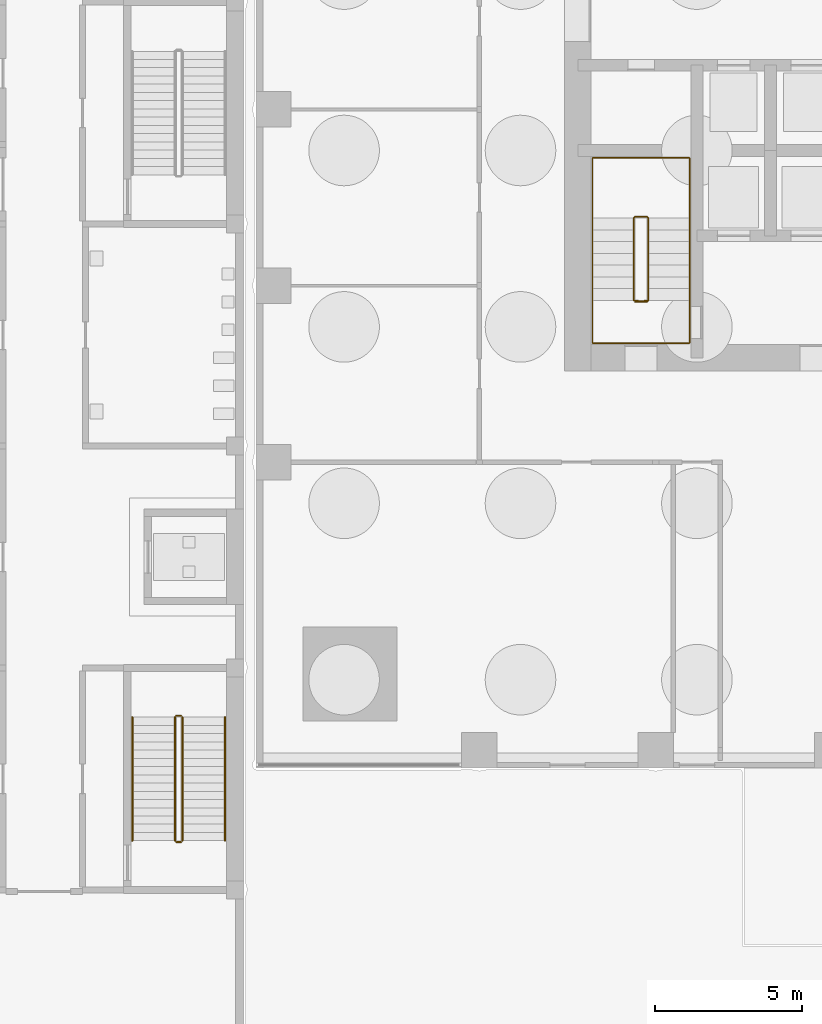
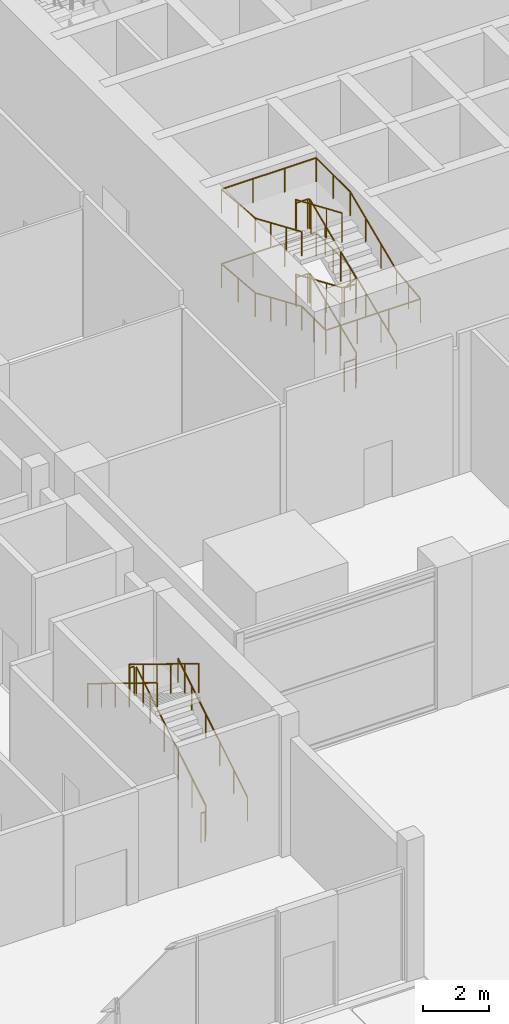
# One storey, part 24 of 33: 8 railings.
"""IFC4 building model written with IfcOpenShell, lengths in metres."""

from ifc_helpers import new_model, si_unit, direction, frame, origin, origin_2d, place, context, subcontext, project, spatial, circle, extrude, material, type_object, element, save


model = new_model("IFC4")

# Units and contexts
model_context = context("Model", 3, precision=1e-05, world=origin(), true_north=direction((0.0, 1.0)))
body_context = subcontext(model_context, "Body", "Model", "MODEL_VIEW")
ifc_project = project(units=[si_unit("LENGTHUNIT", "METRE"), si_unit("AREAUNIT", "SQUARE_METRE"), si_unit("VOLUMEUNIT", "CUBIC_METRE"), si_unit("PLANEANGLEUNIT", "RADIAN"), si_unit("MASSUNIT", "GRAM", prefix="KILO")], contexts=[model_context])

# Site, building, storey
site_placement = place(None, origin())
site = spatial("IfcSite", under=ifc_project, at=site_placement, CompositionType="ELEMENT")
building_placement = place(site_placement, origin())
building = spatial("IfcBuilding", under=site, at=building_placement, Name="Amberfall Residences", CompositionType="ELEMENT")
storey_placement = place(building_placement, origin())
storey = spatial("IfcBuildingStorey", under=building, at=storey_placement, Name="L00", CompositionType="ELEMENT", Elevation=0.0)

# Railings
ifc_material_1 = material(Name="Stainless steel", Category="steel")
railing_type_1 = type_object("IfcRailingType", Name="School stair guard 1100", PredefinedType="GUARDRAIL", material=ifc_material_1)
railing_1_placement = place(storey_placement, frame((49.5, 17.52490234375, 0.171875)))
element("IfcRailing", 1, at=railing_1_placement, inside=storey, type_object=railing_type_1, Name="L00 SS1 stair guard 1", PredefinedType="GUARDRAIL", context=body_context, shape_type="SweptSolid", body=[
    extrude(circle(Radius=0.02392578125, at=origin_2d()), frame((0.0, 0.0, 1.076171875), z_axis=(0.0, 0.852256472501, 0.523124177495), x_axis=(-1.0, 0.0, 0.0)), (0.0, 0.0, 1.0), 4.92822265625),
    extrude(circle(Radius=0.02099609375, at=origin_2d()), origin(), (0.0, 0.0, 1.0), 1.052001953125),
    extrude(circle(Radius=0.02099609375, at=origin_2d()), frame((0.0, 0.840087890625, 0.515625)), (0.0, 0.0, 1.0), 1.052001953125),
    extrude(circle(Radius=0.02099609375, at=origin_2d()), frame((0.0, 1.68017578125, 1.03125)), (0.0, 0.0, 1.0), 1.052001953125),
    extrude(circle(Radius=0.02099609375, at=origin_2d()), frame((0.0, 2.52001953125, 1.546875)), (0.0, 0.0, 1.0), 1.052001953125),
    extrude(circle(Radius=0.02099609375, at=origin_2d()), frame((0.0, 3.360107421875, 2.0625)), (0.0, 0.0, 1.0), 1.052001953125),
    extrude(circle(Radius=0.02099609375, at=origin_2d()), frame((0.0, 4.2001953125, 2.578125)), (0.0, 0.0, 1.0), 1.052001953125),
])
railing_2_placement = place(storey_placement, frame((49.449951171875, 21.77490234375, 2.75)))
element("IfcRailing", 2, at=railing_2_placement, inside=storey, type_object=railing_type_1, Name="L00 SS1 stair guard 2", PredefinedType="GUARDRAIL", context=body_context, shape_type="SweptSolid", body=[
    extrude(circle(Radius=0.02392578125, at=origin_2d()), frame((0.0, 0.0, 1.076171875), z_axis=(-1.0, 0.0, 0.0), x_axis=(0.0, -1.0, 0.0)), (0.0, 0.0, 1.0), 0.14990234375),
    extrude(circle(Radius=0.02099609375, at=origin_2d()), origin(), (0.0, 0.0, 1.0), 1.052001953125),
    extrude(circle(Radius=0.02099609375, at=origin_2d()), frame((-0.14990234375, 0.0, 0.0)), (0.0, 0.0, 1.0), 1.052001953125),
])
railing_3_placement = place(storey_placement, frame((49.25, 21.72509765625, 2.921875)))
element("IfcRailing", 3, at=railing_3_placement, inside=storey, type_object=railing_type_1, Name="L00 SS1 stair guard 3", PredefinedType="GUARDRAIL", context=body_context, shape_type="SweptSolid", body=[
    extrude(circle(Radius=0.02392578125, at=origin_2d()), frame((0.0, 0.0, 1.076171875), z_axis=(0.0, -0.852256472501, 0.523124177495), x_axis=(1.0, 0.0, 0.0)), (0.0, 0.0, 1.0), 4.92822265625),
    extrude(circle(Radius=0.02099609375, at=origin_2d()), origin(), (0.0, 0.0, 1.0), 1.052001953125),
    extrude(circle(Radius=0.02099609375, at=origin_2d()), frame((0.0, -0.840087890625, 0.515625)), (0.0, 0.0, 1.0), 1.052001953125),
    extrude(circle(Radius=0.02099609375, at=origin_2d()), frame((0.0, -1.68017578125, 1.03125)), (0.0, 0.0, 1.0), 1.052001953125),
    extrude(circle(Radius=0.02099609375, at=origin_2d()), frame((0.0, -2.52001953125, 1.546875)), (0.0, 0.0, 1.0), 1.052001953125),
    extrude(circle(Radius=0.02099609375, at=origin_2d()), frame((0.0, -3.360107421875, 2.0625)), (0.0, 0.0, 1.0), 1.052001953125),
    extrude(circle(Radius=0.02099609375, at=origin_2d()), frame((0.0, -4.2001953125, 2.578125)), (0.0, 0.0, 1.0), 1.052001953125),
])
railing_4_placement = place(storey_placement, frame((49.449951171875, 17.47509765625, 0.0)))
element("IfcRailing", 4, at=railing_4_placement, inside=storey, type_object=railing_type_1, Name="L00 SS1 stair guard 4", PredefinedType="GUARDRAIL", context=body_context, shape_type="SweptSolid", body=[
    extrude(circle(Radius=0.02392578125, at=origin_2d()), frame((0.0, 0.0, 1.076171875), z_axis=(-1.0, 0.0, 0.0), x_axis=(0.0, -1.0, 0.0)), (0.0, 0.0, 1.0), 0.14990234375),
    extrude(circle(Radius=0.02099609375, at=origin_2d()), origin(), (0.0, 0.0, 1.0), 1.052001953125),
    extrude(circle(Radius=0.02099609375, at=origin_2d()), frame((-0.14990234375, 0.0, 0.0)), (0.0, 0.0, 1.0), 1.052001953125),
])
railing_type_2 = type_object("IfcRailingType", Name="School stair handrail", PredefinedType="HANDRAIL", material=ifc_material_1)
railing_5_placement = place(storey_placement, frame((50.949951171875, 17.52490234375, 0.171875)))
element("IfcRailing", 5, at=railing_5_placement, inside=storey, type_object=railing_type_2, Name="L00 SS1 stair handrail 1", PredefinedType="HANDRAIL", context=body_context, shape_type="SweptSolid", body=[
    extrude(circle(Radius=0.02392578125, at=origin_2d()), frame((0.0, 0.0, 0.8759765625), z_axis=(0.0, 0.852256472501, 0.523124177495), x_axis=(-1.0, 0.0, 0.0)), (0.0, 0.0, 1.0), 4.92822265625),
    extrude(circle(Radius=0.02099609375, at=origin_2d()), origin(), (0.0, 0.0, 1.0), 0.851806640625),
    extrude(circle(Radius=0.02099609375, at=origin_2d()), frame((0.0, 0.840087890625, 0.515625)), (0.0, 0.0, 1.0), 0.851806640625),
    extrude(circle(Radius=0.02099609375, at=origin_2d()), frame((0.0, 1.68017578125, 1.03125)), (0.0, 0.0, 1.0), 0.851806640625),
    extrude(circle(Radius=0.02099609375, at=origin_2d()), frame((0.0, 2.52001953125, 1.546875)), (0.0, 0.0, 1.0), 0.851806640625),
    extrude(circle(Radius=0.02099609375, at=origin_2d()), frame((0.0, 3.360107421875, 2.0625)), (0.0, 0.0, 1.0), 0.851806640625),
    extrude(circle(Radius=0.02099609375, at=origin_2d()), frame((0.0, 4.2001953125, 2.578125)), (0.0, 0.0, 1.0), 0.851806640625),
])
railing_6_placement = place(storey_placement, frame((47.800048828125, 21.72509765625, 2.921875)))
element("IfcRailing", 6, at=railing_6_placement, inside=storey, type_object=railing_type_2, Name="L00 SS1 stair handrail 2", PredefinedType="HANDRAIL", context=body_context, shape_type="SweptSolid", body=[
    extrude(circle(Radius=0.02392578125, at=origin_2d()), frame((0.0, 0.0, 0.8759765625), z_axis=(0.0, -0.852256472501, 0.523124177495), x_axis=(1.0, 0.0, 0.0)), (0.0, 0.0, 1.0), 4.92822265625),
    extrude(circle(Radius=0.02099609375, at=origin_2d()), origin(), (0.0, 0.0, 1.0), 0.851806640625),
    extrude(circle(Radius=0.02099609375, at=origin_2d()), frame((0.0, -0.840087890625, 0.515625)), (0.0, 0.0, 1.0), 0.851806640625),
    extrude(circle(Radius=0.02099609375, at=origin_2d()), frame((0.0, -1.68017578125, 1.03125)), (0.0, 0.0, 1.0), 0.851806640625),
    extrude(circle(Radius=0.02099609375, at=origin_2d()), frame((0.0, -2.52001953125, 1.546875)), (0.0, 0.0, 1.0), 0.851806640625),
    extrude(circle(Radius=0.02099609375, at=origin_2d()), frame((0.0, -3.360107421875, 2.0625)), (0.0, 0.0, 1.0), 0.851806640625),
    extrude(circle(Radius=0.02099609375, at=origin_2d()), frame((0.0, -4.2001953125, 2.578125)), (0.0, 0.0, 1.0), 0.851806640625),
])
ifc_material_2 = material(Name="Stainless steel 316", Category="steel")
railing_type_3 = type_object("IfcRailingType", Name="Stair guard 1100", PredefinedType="GUARDRAIL", material=ifc_material_2)
railing_7_placement = place(storey_placement, frame((64.89990234375, 35.85009765625, 0.0)))
element("IfcRailing", 7, at=railing_7_placement, inside=storey, type_object=railing_type_3, Name="L00 stair 1 guard", PredefinedType="GUARDRAIL", context=body_context, shape_type="SweptSolid", body=[
    extrude(circle(Radius=0.02392578125, at=origin_2d()), frame((0.0, 0.0, 1.076171875), z_axis=(1.0, 0.0, 0.0), x_axis=(0.0, 1.0, 0.0)), (0.0, 0.0, 1.0), 0.400146484375),
    extrude(circle(Radius=0.02392578125, at=origin_2d()), frame((0.400146484375, 0.0, 1.076171875), z_axis=(0.26935076646, 0.268036860282, 0.924989949209), x_axis=(-0.705375805398, 0.708833529934, 0.0)), (0.0, 0.0, 1.0), 0.185791015625),
    extrude(circle(Radius=0.02392578125, at=origin_2d()), frame((0.4501953125, 0.0498046875, 1.248046875), z_axis=(0.0, 0.918775847296, 0.394779612475), x_axis=(-1.0, 0.0, 0.0)), (0.0, 0.0, 1.0), 3.047607421875),
    extrude(circle(Radius=0.02392578125, at=origin_2d()), frame((0.4501953125, 2.849853515625, 2.451171875), z_axis=(-0.707106781187, 0.707106781187, 0.0), x_axis=(-0.707106781187, -0.707106781187, 0.0)), (0.0, 0.0, 1.0), 0.07080078125),
    extrude(circle(Radius=0.02392578125, at=origin_2d()), frame((0.400146484375, 2.89990234375, 2.451171875), z_axis=(-1.0, 0.0, 0.0), x_axis=(0.0, -1.0, 0.0)), (0.0, 0.0, 1.0), 0.400146484375),
    extrude(circle(Radius=0.02392578125, at=origin_2d()), frame((0.0, 2.89990234375, 2.451171875), z_axis=(-0.268036860282, -0.26935076646, 0.924989949209), x_axis=(0.708833529934, -0.705375805398, 0.0)), (0.0, 0.0, 1.0), 0.185791015625),
    extrude(circle(Radius=0.02392578125, at=origin_2d()), frame((-0.0498046875, 2.849853515625, 2.623046875), z_axis=(0.0, -0.918775847296, 0.394779612475), x_axis=(1.0, 0.0, 0.0)), (0.0, 0.0, 1.0), 3.047607421875),
    extrude(circle(Radius=0.02392578125, at=origin_2d()), frame((-0.0498046875, 0.0498046875, 3.826171875), z_axis=(0.993929686101, -0.110017176324, 0.0), x_axis=(0.110017176324, 0.993929686101, 0.0)), (0.0, 0.0, 1.0), 0.45263671875),
    extrude(circle(Radius=0.02392578125, at=origin_2d()), frame((0.400146484375, 0.0, 3.826171875), z_axis=(-1.0, 0.0, 0.0), x_axis=(0.0, -1.0, 0.0)), (0.0, 0.0, 1.0), 0.400146484375),
    extrude(circle(Radius=0.02392578125, at=origin_2d()), frame((0.0, 0.0, 3.826171875), z_axis=(0.929280626742, 0.102805448945, 0.354779588518), x_axis=(-0.109958235639, 0.993936208423, 0.0)), (0.0, 0.0, 1.0), 0.484375),
    extrude(circle(Radius=0.02392578125, at=origin_2d()), frame((0.4501953125, 0.0498046875, 3.998046875), z_axis=(0.0, 0.918775847296, 0.394779612475), x_axis=(-1.0, 0.0, 0.0)), (0.0, 0.0, 1.0), 3.047607421875),
    extrude(circle(Radius=0.02392578125, at=origin_2d()), frame((0.4501953125, 2.849853515625, 5.201171875), z_axis=(-0.707106781187, 0.707106781187, 0.0), x_axis=(-0.707106781187, -0.707106781187, 0.0)), (0.0, 0.0, 1.0), 0.07080078125),
    extrude(circle(Radius=0.02392578125, at=origin_2d()), frame((0.400146484375, 2.89990234375, 5.201171875), z_axis=(-1.0, 0.0, 0.0), x_axis=(0.0, -1.0, 0.0)), (0.0, 0.0, 1.0), 0.400146484375),
    extrude(circle(Radius=0.02392578125, at=origin_2d()), frame((0.0, 2.89990234375, 5.201171875), z_axis=(-0.268036860282, -0.26935076646, 0.924989949209), x_axis=(0.708833529934, -0.705375805398, 0.0)), (0.0, 0.0, 1.0), 0.185791015625),
    extrude(circle(Radius=0.02392578125, at=origin_2d()), frame((-0.0498046875, 2.849853515625, 5.373046875), z_axis=(0.0, -0.918775847296, 0.394779612475), x_axis=(1.0, 0.0, 0.0)), (0.0, 0.0, 1.0), 3.047607421875),
    extrude(circle(Radius=0.02099609375, at=origin_2d()), origin(), (0.0, 0.0, 1.0), 1.052001953125),
    extrude(circle(Radius=0.02099609375, at=origin_2d()), frame((0.400146484375, 0.0, 0.0)), (0.0, 0.0, 1.0), 1.052001953125),
    extrude(circle(Radius=0.02099609375, at=origin_2d()), frame((0.4501953125, 0.0498046875, 0.171875)), (0.0, 0.0, 1.0), 1.052001953125),
    extrude(circle(Radius=0.02099609375, at=origin_2d()), frame((0.4501953125, 0.983154296875, 0.572998046875)), (0.0, 0.0, 1.0), 1.052001953125),
    extrude(circle(Radius=0.02099609375, at=origin_2d()), frame((0.4501953125, 1.91650390625, 0.973876953125)), (0.0, 0.0, 1.0), 1.052001953125),
    extrude(circle(Radius=0.02099609375, at=origin_2d()), frame((0.4501953125, 2.849853515625, 1.375)), (0.0, 0.0, 1.0), 1.052001953125),
    extrude(circle(Radius=0.02099609375, at=origin_2d()), frame((0.400146484375, 2.89990234375, 1.375)), (0.0, 0.0, 1.0), 1.052001953125),
    extrude(circle(Radius=0.02099609375, at=origin_2d()), frame((0.0, 2.89990234375, 1.375)), (0.0, 0.0, 1.0), 1.052001953125),
    extrude(circle(Radius=0.02099609375, at=origin_2d()), frame((-0.0498046875, 2.849853515625, 1.546875)), (0.0, 0.0, 1.0), 1.052001953125),
    extrude(circle(Radius=0.02099609375, at=origin_2d()), frame((-0.0498046875, 1.91650390625, 1.947998046875)), (0.0, 0.0, 1.0), 1.052001953125),
    extrude(circle(Radius=0.02099609375, at=origin_2d()), frame((-0.0498046875, 0.983154296875, 2.348876953125)), (0.0, 0.0, 1.0), 1.052001953125),
    extrude(circle(Radius=0.02099609375, at=origin_2d()), frame((-0.0498046875, 0.0498046875, 2.75)), (0.0, 0.0, 1.0), 1.052001953125),
    extrude(circle(Radius=0.02099609375, at=origin_2d()), frame((0.400146484375, 0.0, 2.75)), (0.0, 0.0, 1.0), 1.052001953125),
    extrude(circle(Radius=0.02099609375, at=origin_2d()), frame((0.0, 0.0, 2.75)), (0.0, 0.0, 1.0), 1.052001953125),
    extrude(circle(Radius=0.02099609375, at=origin_2d()), frame((0.4501953125, 0.0498046875, 2.921875)), (0.0, 0.0, 1.0), 1.052001953125),
    extrude(circle(Radius=0.02099609375, at=origin_2d()), frame((0.4501953125, 0.983154296875, 3.322998046875)), (0.0, 0.0, 1.0), 1.052001953125),
    extrude(circle(Radius=0.02099609375, at=origin_2d()), frame((0.4501953125, 1.91650390625, 3.723876953125)), (0.0, 0.0, 1.0), 1.052001953125),
    extrude(circle(Radius=0.02099609375, at=origin_2d()), frame((0.4501953125, 2.849853515625, 4.125)), (0.0, 0.0, 1.0), 1.052001953125),
    extrude(circle(Radius=0.02099609375, at=origin_2d()), frame((0.400146484375, 2.89990234375, 4.125)), (0.0, 0.0, 1.0), 1.052001953125),
    extrude(circle(Radius=0.02099609375, at=origin_2d()), frame((0.0, 2.89990234375, 4.125)), (0.0, 0.0, 1.0), 1.052001953125),
    extrude(circle(Radius=0.02099609375, at=origin_2d()), frame((-0.0498046875, 2.849853515625, 4.296875)), (0.0, 0.0, 1.0), 1.052001953125),
    extrude(circle(Radius=0.02099609375, at=origin_2d()), frame((-0.0498046875, 1.91650390625, 4.697998046875)), (0.0, 0.0, 1.0), 1.052001953125),
    extrude(circle(Radius=0.02099609375, at=origin_2d()), frame((-0.0498046875, 0.983154296875, 5.098876953125)), (0.0, 0.0, 1.0), 1.052001953125),
    extrude(circle(Radius=0.02099609375, at=origin_2d()), frame((-0.0498046875, 0.0498046875, 5.5)), (0.0, 0.0, 1.0), 1.052001953125),
])
railing_type_4 = type_object("IfcRailingType", Name="Stair handrail 900", PredefinedType="HANDRAIL", material=ifc_material_2)
railing_8_placement = place(storey_placement, frame((66.75, 35.89990234375, 0.171875)))
element("IfcRailing", 8, at=railing_8_placement, inside=storey, type_object=railing_type_4, Name="L00 stair 1 handrail", PredefinedType="HANDRAIL", context=body_context, shape_type="SweptSolid", body=[
    extrude(circle(Radius=0.02392578125, at=origin_2d()), frame((0.0, 0.0, 0.8759765625), z_axis=(0.0, 0.918775847296, 0.394779612475), x_axis=(-1.0, 0.0, 0.0)), (0.0, 0.0, 1.0), 3.047607421875),
    extrude(circle(Radius=0.02392578125, at=origin_2d()), frame((0.0, 2.800048828125, 2.0791015625), z_axis=(0.0, 1.0, 0.0), x_axis=(-1.0, 0.0, 0.0)), (0.0, 0.0, 1.0), 2.050048828125),
    extrude(circle(Radius=0.02392578125, at=origin_2d()), frame((0.0, 4.85009765625, 2.0791015625), z_axis=(-1.0, 0.0, 0.0), x_axis=(0.0, -1.0, 0.0)), (0.0, 0.0, 1.0), 3.300048828125),
    extrude(circle(Radius=0.02392578125, at=origin_2d()), frame((-3.300048828125, 4.85009765625, 2.0791015625), z_axis=(0.0, -0.996503891927, 0.083546354641), x_axis=(1.0, 0.0, 0.0)), (0.0, 0.0, 1.0), 2.05712890625),
    extrude(circle(Radius=0.02392578125, at=origin_2d()), frame((-3.300048828125, 2.800048828125, 2.2509765625), z_axis=(0.0, -0.918775847296, 0.394779612475), x_axis=(1.0, 0.0, 0.0)), (0.0, 0.0, 1.0), 3.047607421875),
    extrude(circle(Radius=0.02392578125, at=origin_2d()), frame((-3.300048828125, 0.0, 3.4541015625), z_axis=(0.0, -1.0, 0.0), x_axis=(1.0, 0.0, 0.0)), (0.0, 0.0, 1.0), 1.449951171875),
    extrude(circle(Radius=0.02392578125, at=origin_2d()), frame((-3.300048828125, -1.449951171875, 3.4541015625), z_axis=(1.0, 0.0, 0.0), x_axis=(0.0, 1.0, 0.0)), (0.0, 0.0, 1.0), 3.300048828125),
    extrude(circle(Radius=0.02392578125, at=origin_2d()), frame((0.0, -1.449951171875, 3.4541015625), z_axis=(0.0, 0.993047498959, 0.117714335623), x_axis=(-1.0, 0.0, 0.0)), (0.0, 0.0, 1.0), 1.460205078125),
    extrude(circle(Radius=0.02392578125, at=origin_2d()), frame((0.0, 0.0, 3.6259765625), z_axis=(0.0, 0.918775847296, 0.394779612475), x_axis=(-1.0, 0.0, 0.0)), (0.0, 0.0, 1.0), 3.047607421875),
    extrude(circle(Radius=0.02392578125, at=origin_2d()), frame((0.0, 2.800048828125, 4.8291015625), z_axis=(0.0, 1.0, 0.0), x_axis=(-1.0, 0.0, 0.0)), (0.0, 0.0, 1.0), 2.050048828125),
    extrude(circle(Radius=0.02392578125, at=origin_2d()), frame((0.0, 4.85009765625, 4.8291015625), z_axis=(-1.0, 0.0, 0.0), x_axis=(0.0, -1.0, 0.0)), (0.0, 0.0, 1.0), 3.300048828125),
    extrude(circle(Radius=0.02392578125, at=origin_2d()), frame((-3.300048828125, 4.85009765625, 4.8291015625), z_axis=(0.0, -0.996503891927, 0.083546354641), x_axis=(1.0, 0.0, 0.0)), (0.0, 0.0, 1.0), 2.05712890625),
    extrude(circle(Radius=0.02392578125, at=origin_2d()), frame((-3.300048828125, 2.800048828125, 5.0009765625), z_axis=(0.0, -0.918775847296, 0.394779612475), x_axis=(1.0, 0.0, 0.0)), (0.0, 0.0, 1.0), 3.047607421875),
    extrude(circle(Radius=0.02099609375, at=origin_2d()), origin(), (0.0, 0.0, 1.0), 0.851806640625),
    extrude(circle(Radius=0.02099609375, at=origin_2d()), frame((0.0, 0.933349609375, 0.401123046875)), (0.0, 0.0, 1.0), 0.851806640625),
    extrude(circle(Radius=0.02099609375, at=origin_2d()), frame((0.0, 1.86669921875, 0.802001953125)), (0.0, 0.0, 1.0), 0.851806640625),
    extrude(circle(Radius=0.02099609375, at=origin_2d()), frame((0.0, 2.800048828125, 1.203125)), (0.0, 0.0, 1.0), 0.851806640625),
    extrude(circle(Radius=0.02099609375, at=origin_2d()), frame((0.0, 3.8251953125, 1.203125)), (0.0, 0.0, 1.0), 0.851806640625),
    extrude(circle(Radius=0.02099609375, at=origin_2d()), frame((0.0, 4.85009765625, 1.203125)), (0.0, 0.0, 1.0), 0.851806640625),
    extrude(circle(Radius=0.02099609375, at=origin_2d()), frame((-1.10009765625, 4.85009765625, 1.203125)), (0.0, 0.0, 1.0), 0.851806640625),
    extrude(circle(Radius=0.02099609375, at=origin_2d()), frame((-2.199951171875, 4.85009765625, 1.203125)), (0.0, 0.0, 1.0), 0.851806640625),
    extrude(circle(Radius=0.02099609375, at=origin_2d()), frame((-3.300048828125, 4.85009765625, 1.203125)), (0.0, 0.0, 1.0), 0.851806640625),
    extrude(circle(Radius=0.02099609375, at=origin_2d()), frame((-3.300048828125, 3.8251953125, 1.2890625)), (0.0, 0.0, 1.0), 0.851806640625),
    extrude(circle(Radius=0.02099609375, at=origin_2d()), frame((-3.300048828125, 2.800048828125, 1.375)), (0.0, 0.0, 1.0), 0.851806640625),
    extrude(circle(Radius=0.02099609375, at=origin_2d()), frame((-3.300048828125, 1.86669921875, 1.776123046875)), (0.0, 0.0, 1.0), 0.851806640625),
    extrude(circle(Radius=0.02099609375, at=origin_2d()), frame((-3.300048828125, 0.933349609375, 2.177001953125)), (0.0, 0.0, 1.0), 0.851806640625),
    extrude(circle(Radius=0.02099609375, at=origin_2d()), frame((-3.300048828125, 0.0, 2.578125)), (0.0, 0.0, 1.0), 0.851806640625),
    extrude(circle(Radius=0.02099609375, at=origin_2d()), frame((-3.300048828125, -0.72509765625, 2.578125)), (0.0, 0.0, 1.0), 0.851806640625),
    extrude(circle(Radius=0.02099609375, at=origin_2d()), frame((-3.300048828125, -1.449951171875, 2.578125)), (0.0, 0.0, 1.0), 0.851806640625),
    extrude(circle(Radius=0.02099609375, at=origin_2d()), frame((-2.199951171875, -1.449951171875, 2.578125)), (0.0, 0.0, 1.0), 0.851806640625),
    extrude(circle(Radius=0.02099609375, at=origin_2d()), frame((-1.10009765625, -1.449951171875, 2.578125)), (0.0, 0.0, 1.0), 0.851806640625),
    extrude(circle(Radius=0.02099609375, at=origin_2d()), frame((0.0, -1.449951171875, 2.578125)), (0.0, 0.0, 1.0), 0.851806640625),
    extrude(circle(Radius=0.02099609375, at=origin_2d()), frame((0.0, -0.72509765625, 2.6640625)), (0.0, 0.0, 1.0), 0.851806640625),
    extrude(circle(Radius=0.02099609375, at=origin_2d()), frame((0.0, 0.0, 2.75)), (0.0, 0.0, 1.0), 0.851806640625),
    extrude(circle(Radius=0.02099609375, at=origin_2d()), frame((0.0, 0.933349609375, 3.151123046875)), (0.0, 0.0, 1.0), 0.851806640625),
    extrude(circle(Radius=0.02099609375, at=origin_2d()), frame((0.0, 1.86669921875, 3.552001953125)), (0.0, 0.0, 1.0), 0.851806640625),
    extrude(circle(Radius=0.02099609375, at=origin_2d()), frame((0.0, 2.800048828125, 3.953125)), (0.0, 0.0, 1.0), 0.851806640625),
    extrude(circle(Radius=0.02099609375, at=origin_2d()), frame((0.0, 3.8251953125, 3.953125)), (0.0, 0.0, 1.0), 0.851806640625),
    extrude(circle(Radius=0.02099609375, at=origin_2d()), frame((0.0, 4.85009765625, 3.953125)), (0.0, 0.0, 1.0), 0.851806640625),
    extrude(circle(Radius=0.02099609375, at=origin_2d()), frame((-1.10009765625, 4.85009765625, 3.953125)), (0.0, 0.0, 1.0), 0.851806640625),
    extrude(circle(Radius=0.02099609375, at=origin_2d()), frame((-2.199951171875, 4.85009765625, 3.953125)), (0.0, 0.0, 1.0), 0.851806640625),
    extrude(circle(Radius=0.02099609375, at=origin_2d()), frame((-3.300048828125, 4.85009765625, 3.953125)), (0.0, 0.0, 1.0), 0.851806640625),
    extrude(circle(Radius=0.02099609375, at=origin_2d()), frame((-3.300048828125, 3.8251953125, 4.0390625)), (0.0, 0.0, 1.0), 0.851806640625),
    extrude(circle(Radius=0.02099609375, at=origin_2d()), frame((-3.300048828125, 2.800048828125, 4.125)), (0.0, 0.0, 1.0), 0.851806640625),
    extrude(circle(Radius=0.02099609375, at=origin_2d()), frame((-3.300048828125, 1.86669921875, 4.526123046875)), (0.0, 0.0, 1.0), 0.851806640625),
    extrude(circle(Radius=0.02099609375, at=origin_2d()), frame((-3.300048828125, 0.933349609375, 4.927001953125)), (0.0, 0.0, 1.0), 0.851806640625),
    extrude(circle(Radius=0.02099609375, at=origin_2d()), frame((-3.300048828125, 0.0, 5.328125)), (0.0, 0.0, 1.0), 0.851806640625),
])

save(model, "model.ifc")
